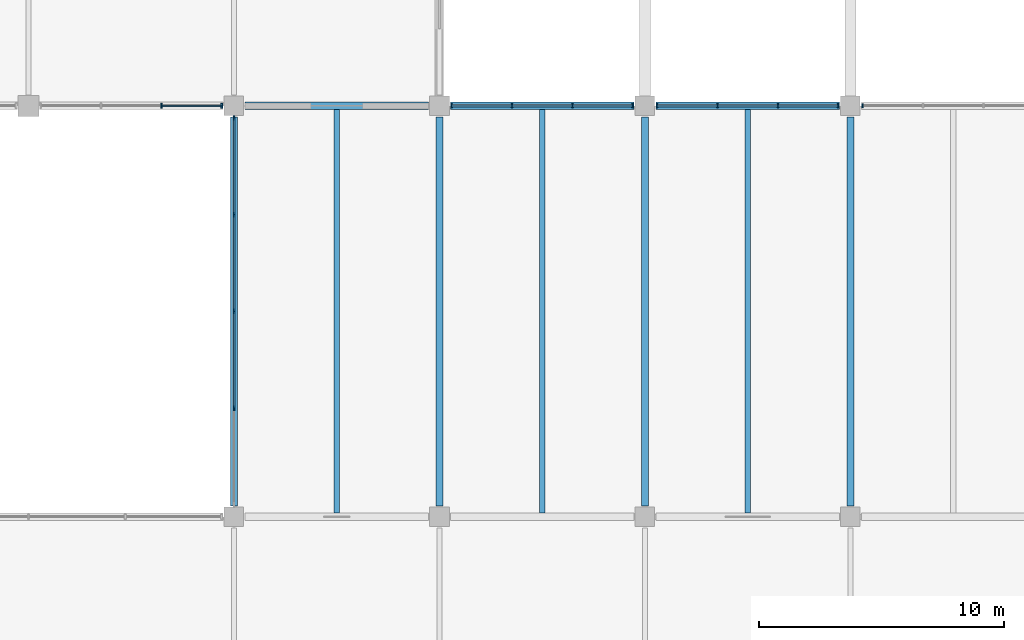
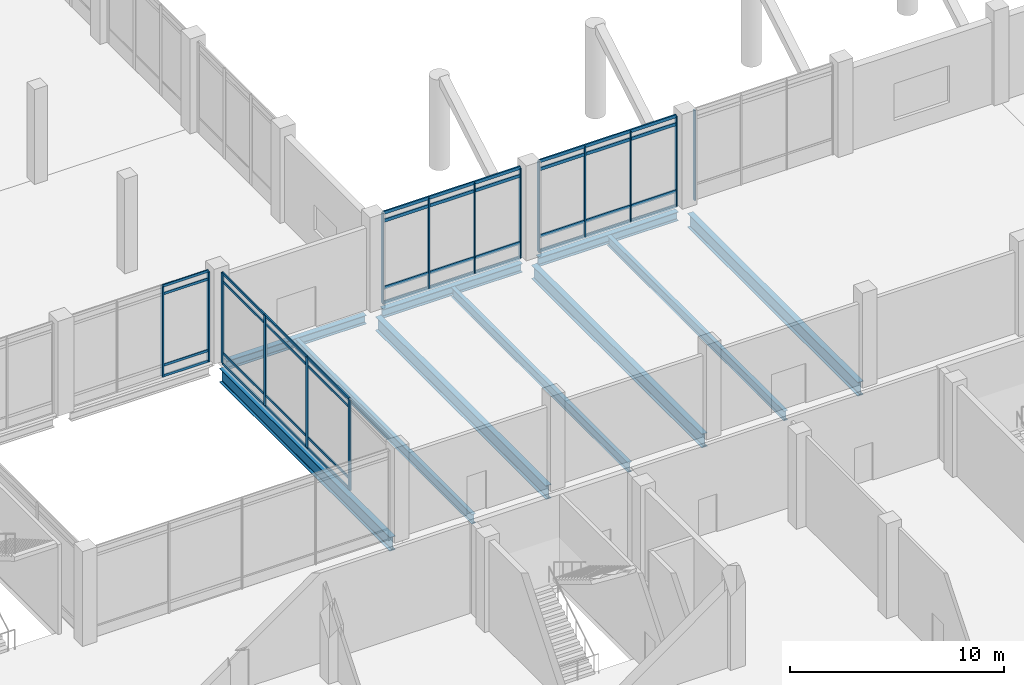
# One storey, part 9 of 72: 55 members, 10 beams, 5 elements without a shape of their own.
"""IFC4 building model written with IfcOpenShell, lengths in metres."""

from ifc_helpers import new_model, si_unit, direction, frame, origin, origin_2d, place, context, subcontext, project, spatial, rectangle, i_section, extrude, material, layer, layer_set, material_profile, profile_set, type_object, element, aggregate, save


model = new_model("IFC4")

# Units and contexts
model_context = context("Model", 3, precision=1e-05, world=origin(), true_north=direction((0.0, 1.0)))
body_context = subcontext(model_context, "Body", "Model", "MODEL_VIEW")
ifc_project = project(units=[si_unit("LENGTHUNIT", "METRE"), si_unit("AREAUNIT", "SQUARE_METRE"), si_unit("VOLUMEUNIT", "CUBIC_METRE"), si_unit("PLANEANGLEUNIT", "RADIAN"), si_unit("MASSUNIT", "GRAM", prefix="KILO")], contexts=[model_context])

# Site, building, storey
site_placement = place(None, origin())
site = spatial("IfcSite", under=ifc_project, at=site_placement, CompositionType="ELEMENT")
building_placement = place(site_placement, origin())
building = spatial("IfcBuilding", under=site, at=building_placement, Name="Qawsi Khor Wholesale Market", CompositionType="ELEMENT")
storey_placement = place(building_placement, frame((0.0, 0.0, 6.0)))
storey = spatial("IfcBuildingStorey", under=building, at=storey_placement, Name="L01", CompositionType="ELEMENT", Elevation=6.0)

# Curtain wall, members
ifc_material_1 = material(Name="Aluminium Anodised Bronze", Category="aluminium")
ifc_layer_1 = layer(ifc_material_1, 0.179931640625, Name="Aluminium Anodised Bronze")
ifc_layer_set_1 = layer_set([ifc_layer_1], Name="Aluminium Anodised Bronze")
curtain_wall_type_1 = type_object("IfcCurtainWallType", Name="Atrium Full-Height Curtain Wall CW-02", PredefinedType="NOTDEFINED", material=ifc_layer_set_1)
curtain_wall_1_placement = place(storey_placement, origin())
curtain_wall_1 = element("IfcCurtainWall", 1, at=curtain_wall_1_placement, inside=storey, type_object=curtain_wall_type_1, Name="Curtain wall CW-CW-02-L01-018", PredefinedType="NOTDEFINED")
ifc_material_profile_1 = material_profile(ifc_material_1, rectangle(XDim=0.070068359375, YDim=0.199951171875, at=origin_2d()), Name="ALU MULLION 70x200")
ifc_profile_set_1 = profile_set([ifc_material_profile_1], Name="Aluminium Anodised Bronze")
member_type_1 = type_object("IfcMemberType", Name="Curtain Wall Mullion CW-02 ALU MULLION 70x200", PredefinedType="MULLION", material=ifc_profile_set_1)
member_1_placement = place(storey_placement, frame((64.235107421875, 42.0, -0.02001953125), z_axis=(0.0, 0.0, 1.0), x_axis=(1.0, 0.0, 0.0)))
member_1 = element("IfcMember", 2, at=member_1_placement, type_object=member_type_1, Name="Mullion CW-CW-02-L01-018-M02", PredefinedType="MULLION", context=body_context, shape_type="SweptSolid", body=[
    extrude(rectangle(XDim=0.070068359375, YDim=0.199951171875, at=origin_2d()), origin(), (0.0, 0.0, 1.0), 5.14013671875),
])
member_2_placement = place(storey_placement, frame((66.705078125, 42.0, -0.02001953125), z_axis=(0.0, 0.0, 1.0), x_axis=(1.0, 0.0, 0.0)))
member_2 = element("IfcMember", 3, at=member_2_placement, type_object=member_type_1, Name="Mullion CW-CW-02-L01-018-M03", PredefinedType="MULLION", context=body_context, shape_type="SweptSolid", body=[
    extrude(rectangle(XDim=0.070068359375, YDim=0.199951171875, at=origin_2d()), origin(), (0.0, 0.0, 1.0), 5.14013671875),
])

curtain_wall_2_placement = place(storey_placement, origin())
curtain_wall_2 = element("IfcCurtainWall", 4, at=curtain_wall_2_placement, inside=storey, type_object=curtain_wall_type_1, Name="Curtain wall CW-CW-02-L01-020", PredefinedType="NOTDEFINED")
member_3_placement = place(storey_placement, frame((67.199951171875, 29.6474609375, -0.02001953125), z_axis=(0.0, 0.0, 1.0), x_axis=(1.0, 0.0, 0.0)))
member_3 = element("IfcMember", 5, at=member_3_placement, type_object=member_type_1, Name="Mullion CW-CW-02-L01-020-M01", PredefinedType="MULLION", context=body_context, shape_type="SweptSolid", body=[
    extrude(rectangle(XDim=0.070068359375, YDim=0.199951171875, at=origin_2d()), origin(), (0.0, 0.0, 1.0), 5.14013671875),
])
member_4_placement = place(storey_placement, frame((67.199951171875, 33.60009765625, -0.02001953125), z_axis=(0.0, 0.0, 1.0), x_axis=(1.0, 0.0, 0.0)))
member_4 = element("IfcMember", 6, at=member_4_placement, type_object=member_type_1, Name="Mullion CW-CW-02-L01-020-M02", PredefinedType="MULLION", context=body_context, shape_type="SweptSolid", body=[
    extrude(rectangle(XDim=0.070068359375, YDim=0.199951171875, at=origin_2d()), origin(), (0.0, 0.0, 1.0), 5.14013671875),
])
member_5_placement = place(storey_placement, frame((67.199951171875, 37.552490234375, -0.02001953125), z_axis=(0.0, 0.0, 1.0), x_axis=(1.0, 0.0, 0.0)))
member_5 = element("IfcMember", 7, at=member_5_placement, type_object=member_type_1, Name="Mullion CW-CW-02-L01-020-M03", PredefinedType="MULLION", context=body_context, shape_type="SweptSolid", body=[
    extrude(rectangle(XDim=0.070068359375, YDim=0.199951171875, at=origin_2d()), origin(), (0.0, 0.0, 1.0), 5.14013671875),
])
member_6_placement = place(storey_placement, frame((67.199951171875, 41.5048828125, -0.02001953125), z_axis=(0.0, 0.0, 1.0), x_axis=(1.0, 0.0, 0.0)))
member_6 = element("IfcMember", 8, at=member_6_placement, type_object=member_type_1, Name="Mullion CW-CW-02-L01-020-M04", PredefinedType="MULLION", context=body_context, shape_type="SweptSolid", body=[
    extrude(rectangle(XDim=0.070068359375, YDim=0.199951171875, at=origin_2d()), origin(), (0.0, 0.0, 1.0), 5.14013671875),
])

ifc_layer_2 = layer(ifc_material_1, 0.169921875, Name="Aluminium Anodised Bronze")
ifc_layer_set_2 = layer_set([ifc_layer_2], Name="Aluminium Anodised Bronze")
curtain_wall_type_2 = type_object("IfcCurtainWallType", Name="Central Court Gallery Curtain Wall CW-05", PredefinedType="NOTDEFINED", material=ifc_layer_set_2)
curtain_wall_3_placement = place(storey_placement, origin())
curtain_wall_3 = element("IfcCurtainWall", 9, at=curtain_wall_3_placement, inside=storey, type_object=curtain_wall_type_2, Name="Curtain wall CW-CW-05-L01-060", PredefinedType="NOTDEFINED")
ifc_material_profile_2 = material_profile(ifc_material_1, rectangle(XDim=0.06005859375, YDim=0.159912109375, at=origin_2d()), Name="ALU MULLION 60x160")
ifc_profile_set_2 = profile_set([ifc_material_profile_2], Name="Aluminium Anodised Bronze")
member_type_2 = type_object("IfcMemberType", Name="Curtain Wall Mullion CW-05 ALU MULLION 60x160", PredefinedType="MULLION", material=ifc_profile_set_2)
member_7_placement = place(storey_placement, frame((76.10009765625, 42.0, -0.02001953125), z_axis=(0.0, 0.0, 1.0), x_axis=(1.0, 0.0, 0.0)))
member_7 = element("IfcMember", 10, at=member_7_placement, type_object=member_type_2, Name="Mullion CW-CW-05-L01-060-M00", PredefinedType="MULLION", context=body_context, shape_type="SweptSolid", body=[
    extrude(rectangle(XDim=0.06005859375, YDim=0.159912109375, at=origin_2d()), origin(), (0.0, 0.0, 1.0), 5.14013671875),
])
member_8_placement = place(storey_placement, frame((78.566650390625, 42.0, -0.02001953125), z_axis=(0.0, 0.0, 1.0), x_axis=(1.0, 0.0, 0.0)))
member_8 = element("IfcMember", 11, at=member_8_placement, type_object=member_type_2, Name="Mullion CW-CW-05-L01-060-M01", PredefinedType="MULLION", context=body_context, shape_type="SweptSolid", body=[
    extrude(rectangle(XDim=0.06005859375, YDim=0.159912109375, at=origin_2d()), origin(), (0.0, 0.0, 1.0), 5.14013671875),
])
member_9_placement = place(storey_placement, frame((81.033203125, 42.0, -0.02001953125), z_axis=(0.0, 0.0, 1.0), x_axis=(1.0, 0.0, 0.0)))
member_9 = element("IfcMember", 12, at=member_9_placement, type_object=member_type_2, Name="Mullion CW-CW-05-L01-060-M02", PredefinedType="MULLION", context=body_context, shape_type="SweptSolid", body=[
    extrude(rectangle(XDim=0.06005859375, YDim=0.159912109375, at=origin_2d()), origin(), (0.0, 0.0, 1.0), 5.14013671875),
])
member_10_placement = place(storey_placement, frame((83.5, 42.0, -0.02001953125), z_axis=(0.0, 0.0, 1.0), x_axis=(1.0, 0.0, 0.0)))
member_10 = element("IfcMember", 13, at=member_10_placement, type_object=member_type_2, Name="Mullion CW-CW-05-L01-060-M03", PredefinedType="MULLION", context=body_context, shape_type="SweptSolid", body=[
    extrude(rectangle(XDim=0.06005859375, YDim=0.159912109375, at=origin_2d()), origin(), (0.0, 0.0, 1.0), 5.14013671875),
])

curtain_wall_4_placement = place(storey_placement, origin())
curtain_wall_4 = element("IfcCurtainWall", 14, at=curtain_wall_4_placement, inside=storey, type_object=curtain_wall_type_2, Name="Curtain wall CW-CW-05-L01-061", PredefinedType="NOTDEFINED")
member_11_placement = place(storey_placement, frame((84.5, 42.0, -0.02001953125), z_axis=(0.0, 0.0, 1.0), x_axis=(1.0, 0.0, 0.0)))
member_11 = element("IfcMember", 15, at=member_11_placement, type_object=member_type_2, Name="Mullion CW-CW-05-L01-061-M00", PredefinedType="MULLION", context=body_context, shape_type="SweptSolid", body=[
    extrude(rectangle(XDim=0.06005859375, YDim=0.159912109375, at=origin_2d()), origin(), (0.0, 0.0, 1.0), 5.14013671875),
])
member_12_placement = place(storey_placement, frame((86.966796875, 42.0, -0.02001953125), z_axis=(0.0, 0.0, 1.0), x_axis=(1.0, 0.0, 0.0)))
member_12 = element("IfcMember", 16, at=member_12_placement, type_object=member_type_2, Name="Mullion CW-CW-05-L01-061-M01", PredefinedType="MULLION", context=body_context, shape_type="SweptSolid", body=[
    extrude(rectangle(XDim=0.06005859375, YDim=0.159912109375, at=origin_2d()), origin(), (0.0, 0.0, 1.0), 5.14013671875),
])
member_13_placement = place(storey_placement, frame((89.433349609375, 42.0, -0.02001953125), z_axis=(0.0, 0.0, 1.0), x_axis=(1.0, 0.0, 0.0)))
member_13 = element("IfcMember", 17, at=member_13_placement, type_object=member_type_2, Name="Mullion CW-CW-05-L01-061-M02", PredefinedType="MULLION", context=body_context, shape_type="SweptSolid", body=[
    extrude(rectangle(XDim=0.06005859375, YDim=0.159912109375, at=origin_2d()), origin(), (0.0, 0.0, 1.0), 5.14013671875),
])
member_14_placement = place(storey_placement, frame((91.89990234375, 42.0, -0.02001953125), z_axis=(0.0, 0.0, 1.0), x_axis=(1.0, 0.0, 0.0)))
member_14 = element("IfcMember", 18, at=member_14_placement, type_object=member_type_2, Name="Mullion CW-CW-05-L01-061-M03", PredefinedType="MULLION", context=body_context, shape_type="SweptSolid", body=[
    extrude(rectangle(XDim=0.06005859375, YDim=0.159912109375, at=origin_2d()), origin(), (0.0, 0.0, 1.0), 5.14013671875),
])

# Curtain wall, member
curtain_wall_5_placement = place(storey_placement, origin())
curtain_wall_5 = element("IfcCurtainWall", 19, at=curtain_wall_5_placement, inside=storey, type_object=curtain_wall_type_2, Name="Curtain wall CW-CW-05-L01-062", PredefinedType="NOTDEFINED")
member_15_placement = place(storey_placement, frame((92.89990234375, 42.0, -0.02001953125), z_axis=(0.0, 0.0, 1.0), x_axis=(1.0, 0.0, 0.0)))
member_15 = element("IfcMember", 20, at=member_15_placement, type_object=member_type_2, Name="Mullion CW-CW-05-L01-062-M00", PredefinedType="MULLION", context=body_context, shape_type="SweptSolid", body=[
    extrude(rectangle(XDim=0.06005859375, YDim=0.159912109375, at=origin_2d()), origin(), (0.0, 0.0, 1.0), 5.14013671875),
])
aggregate(curtain_wall_5, [member_15])

# Member
ifc_material_profile_3 = material_profile(ifc_material_1, rectangle(XDim=0.06494140625, YDim=0.139892578125, at=origin_2d()), Name="ALU TRANSOM 65x140")
ifc_profile_set_3 = profile_set([ifc_material_profile_3], Name="Aluminium Anodised Bronze")
member_type_3 = type_object("IfcMemberType", Name="Curtain Wall Transom CW-02 ALU TRANSOM 65x140", PredefinedType="USERDEFINED", material=ifc_profile_set_3)
member_16_placement = place(storey_placement, frame((64.235107421875, 42.0, 0.0), z_axis=(1.0, 0.0, 0.0), x_axis=(0.0, 1.0, 0.0)))
member_16 = element("IfcMember", 21, at=member_16_placement, type_object=member_type_3, Name="Transom CW-CW-02-L01-018-T0_02", ObjectType="TRANSOM", PredefinedType="USERDEFINED", context=body_context, shape_type="SweptSolid", body=[
    extrude(rectangle(XDim=0.06494140625, YDim=0.139892578125, at=origin_2d()), origin(), (0.0, 0.0, 1.0), 2.469970703125),
])

member_17_placement = place(storey_placement, frame((64.235107421875, 42.0, 0.60009765625), z_axis=(1.0, 0.0, 0.0), x_axis=(0.0, 1.0, 0.0)))
member_17 = element("IfcMember", 22, at=member_17_placement, type_object=member_type_3, Name="Transom CW-CW-02-L01-018-T1_02", ObjectType="TRANSOM", PredefinedType="USERDEFINED", context=body_context, shape_type="SweptSolid", body=[
    extrude(rectangle(XDim=0.06494140625, YDim=0.139892578125, at=origin_2d()), origin(), (0.0, 0.0, 1.0), 2.469970703125),
])

member_18_placement = place(storey_placement, frame((64.235107421875, 42.0, 4.669921875), z_axis=(1.0, 0.0, 0.0), x_axis=(0.0, 1.0, 0.0)))
member_18 = element("IfcMember", 23, at=member_18_placement, type_object=member_type_3, Name="Transom CW-CW-02-L01-018-T2_02", ObjectType="TRANSOM", PredefinedType="USERDEFINED", context=body_context, shape_type="SweptSolid", body=[
    extrude(rectangle(XDim=0.06494140625, YDim=0.139892578125, at=origin_2d()), origin(), (0.0, 0.0, 1.0), 2.469970703125),
])

member_19_placement = place(storey_placement, frame((64.235107421875, 42.0, 5.1201171875), z_axis=(1.0, 0.0, 0.0), x_axis=(0.0, 1.0, 0.0)))
member_19 = element("IfcMember", 24, at=member_19_placement, type_object=member_type_3, Name="Transom CW-CW-02-L01-018-T3_02", ObjectType="TRANSOM", PredefinedType="USERDEFINED", context=body_context, shape_type="SweptSolid", body=[
    extrude(rectangle(XDim=0.06494140625, YDim=0.139892578125, at=origin_2d()), origin(), (0.0, 0.0, 1.0), 2.469970703125),
])

aggregate(curtain_wall_1, [member_1, member_2, member_16, member_17, member_18, member_19])

member_20_placement = place(storey_placement, frame((67.199951171875, 29.6474609375, 0.0), z_axis=(0.0, 1.0, 0.0), x_axis=(-1.0, 0.0, 0.0)))
member_20 = element("IfcMember", 25, at=member_20_placement, type_object=member_type_3, Name="Transom CW-CW-02-L01-020-T0_01", ObjectType="TRANSOM", PredefinedType="USERDEFINED", context=body_context, shape_type="SweptSolid", body=[
    extrude(rectangle(XDim=0.06494140625, YDim=0.139892578125, at=origin_2d()), origin(), (0.0, 0.0, 1.0), 3.95263671875),
])

member_21_placement = place(storey_placement, frame((67.199951171875, 33.60009765625, 0.0), z_axis=(0.0, 1.0, 0.0), x_axis=(-1.0, 0.0, 0.0)))
member_21 = element("IfcMember", 26, at=member_21_placement, type_object=member_type_3, Name="Transom CW-CW-02-L01-020-T0_02", ObjectType="TRANSOM", PredefinedType="USERDEFINED", context=body_context, shape_type="SweptSolid", body=[
    extrude(rectangle(XDim=0.06494140625, YDim=0.139892578125, at=origin_2d()), origin(), (0.0, 0.0, 1.0), 3.952392578125),
])

member_22_placement = place(storey_placement, frame((67.199951171875, 37.552490234375, 0.0), z_axis=(0.0, 1.0, 0.0), x_axis=(-1.0, 0.0, 0.0)))
member_22 = element("IfcMember", 27, at=member_22_placement, type_object=member_type_3, Name="Transom CW-CW-02-L01-020-T0_03", ObjectType="TRANSOM", PredefinedType="USERDEFINED", context=body_context, shape_type="SweptSolid", body=[
    extrude(rectangle(XDim=0.06494140625, YDim=0.139892578125, at=origin_2d()), origin(), (0.0, 0.0, 1.0), 3.952392578125),
])

member_23_placement = place(storey_placement, frame((67.199951171875, 29.6474609375, 0.60009765625), z_axis=(0.0, 1.0, 0.0), x_axis=(-1.0, 0.0, 0.0)))
member_23 = element("IfcMember", 28, at=member_23_placement, type_object=member_type_3, Name="Transom CW-CW-02-L01-020-T1_01", ObjectType="TRANSOM", PredefinedType="USERDEFINED", context=body_context, shape_type="SweptSolid", body=[
    extrude(rectangle(XDim=0.06494140625, YDim=0.139892578125, at=origin_2d()), origin(), (0.0, 0.0, 1.0), 3.95263671875),
])

member_24_placement = place(storey_placement, frame((67.199951171875, 33.60009765625, 0.60009765625), z_axis=(0.0, 1.0, 0.0), x_axis=(-1.0, 0.0, 0.0)))
member_24 = element("IfcMember", 29, at=member_24_placement, type_object=member_type_3, Name="Transom CW-CW-02-L01-020-T1_02", ObjectType="TRANSOM", PredefinedType="USERDEFINED", context=body_context, shape_type="SweptSolid", body=[
    extrude(rectangle(XDim=0.06494140625, YDim=0.139892578125, at=origin_2d()), origin(), (0.0, 0.0, 1.0), 3.952392578125),
])

member_25_placement = place(storey_placement, frame((67.199951171875, 37.552490234375, 0.60009765625), z_axis=(0.0, 1.0, 0.0), x_axis=(-1.0, 0.0, 0.0)))
member_25 = element("IfcMember", 30, at=member_25_placement, type_object=member_type_3, Name="Transom CW-CW-02-L01-020-T1_03", ObjectType="TRANSOM", PredefinedType="USERDEFINED", context=body_context, shape_type="SweptSolid", body=[
    extrude(rectangle(XDim=0.06494140625, YDim=0.139892578125, at=origin_2d()), origin(), (0.0, 0.0, 1.0), 3.952392578125),
])

member_26_placement = place(storey_placement, frame((67.199951171875, 29.6474609375, 4.669921875), z_axis=(0.0, 1.0, 0.0), x_axis=(-1.0, 0.0, 0.0)))
member_26 = element("IfcMember", 31, at=member_26_placement, type_object=member_type_3, Name="Transom CW-CW-02-L01-020-T2_01", ObjectType="TRANSOM", PredefinedType="USERDEFINED", context=body_context, shape_type="SweptSolid", body=[
    extrude(rectangle(XDim=0.06494140625, YDim=0.139892578125, at=origin_2d()), origin(), (0.0, 0.0, 1.0), 3.95263671875),
])

member_27_placement = place(storey_placement, frame((67.199951171875, 33.60009765625, 4.669921875), z_axis=(0.0, 1.0, 0.0), x_axis=(-1.0, 0.0, 0.0)))
member_27 = element("IfcMember", 32, at=member_27_placement, type_object=member_type_3, Name="Transom CW-CW-02-L01-020-T2_02", ObjectType="TRANSOM", PredefinedType="USERDEFINED", context=body_context, shape_type="SweptSolid", body=[
    extrude(rectangle(XDim=0.06494140625, YDim=0.139892578125, at=origin_2d()), origin(), (0.0, 0.0, 1.0), 3.952392578125),
])

member_28_placement = place(storey_placement, frame((67.199951171875, 37.552490234375, 4.669921875), z_axis=(0.0, 1.0, 0.0), x_axis=(-1.0, 0.0, 0.0)))
member_28 = element("IfcMember", 33, at=member_28_placement, type_object=member_type_3, Name="Transom CW-CW-02-L01-020-T2_03", ObjectType="TRANSOM", PredefinedType="USERDEFINED", context=body_context, shape_type="SweptSolid", body=[
    extrude(rectangle(XDim=0.06494140625, YDim=0.139892578125, at=origin_2d()), origin(), (0.0, 0.0, 1.0), 3.952392578125),
])

member_29_placement = place(storey_placement, frame((67.199951171875, 29.6474609375, 5.1201171875), z_axis=(0.0, 1.0, 0.0), x_axis=(-1.0, 0.0, 0.0)))
member_29 = element("IfcMember", 34, at=member_29_placement, type_object=member_type_3, Name="Transom CW-CW-02-L01-020-T3_01", ObjectType="TRANSOM", PredefinedType="USERDEFINED", context=body_context, shape_type="SweptSolid", body=[
    extrude(rectangle(XDim=0.06494140625, YDim=0.139892578125, at=origin_2d()), origin(), (0.0, 0.0, 1.0), 3.95263671875),
])

member_30_placement = place(storey_placement, frame((67.199951171875, 33.60009765625, 5.1201171875), z_axis=(0.0, 1.0, 0.0), x_axis=(-1.0, 0.0, 0.0)))
member_30 = element("IfcMember", 35, at=member_30_placement, type_object=member_type_3, Name="Transom CW-CW-02-L01-020-T3_02", ObjectType="TRANSOM", PredefinedType="USERDEFINED", context=body_context, shape_type="SweptSolid", body=[
    extrude(rectangle(XDim=0.06494140625, YDim=0.139892578125, at=origin_2d()), origin(), (0.0, 0.0, 1.0), 3.952392578125),
])

member_31_placement = place(storey_placement, frame((67.199951171875, 37.552490234375, 5.1201171875), z_axis=(0.0, 1.0, 0.0), x_axis=(-1.0, 0.0, 0.0)))
member_31 = element("IfcMember", 36, at=member_31_placement, type_object=member_type_3, Name="Transom CW-CW-02-L01-020-T3_03", ObjectType="TRANSOM", PredefinedType="USERDEFINED", context=body_context, shape_type="SweptSolid", body=[
    extrude(rectangle(XDim=0.06494140625, YDim=0.139892578125, at=origin_2d()), origin(), (0.0, 0.0, 1.0), 3.952392578125),
])

aggregate(curtain_wall_2, [member_3, member_4, member_5, member_6, member_20, member_21, member_22, member_23, member_24, member_25, member_26, member_27, member_28, member_29, member_30, member_31])

ifc_material_profile_4 = material_profile(ifc_material_1, rectangle(XDim=0.080078125, YDim=0.179931640625, at=origin_2d()), Name="ALU TRANSOM 80x180")
ifc_profile_set_4 = profile_set([ifc_material_profile_4], Name="Aluminium Anodised Bronze")
member_type_4 = type_object("IfcMemberType", Name="Curtain Wall Transom CW-05 ALU TRANSOM 80x180", PredefinedType="USERDEFINED", material=ifc_profile_set_4)
member_32_placement = place(storey_placement, frame((76.10009765625, 42.0, 0.0), z_axis=(1.0, 0.0, 0.0), x_axis=(0.0, 1.0, 0.0)))
member_32 = element("IfcMember", 37, at=member_32_placement, type_object=member_type_4, Name="Transom CW-CW-05-L01-060-T0_00", ObjectType="TRANSOM", PredefinedType="USERDEFINED", context=body_context, shape_type="SweptSolid", body=[
    extrude(rectangle(XDim=0.080078125, YDim=0.179931640625, at=origin_2d()), origin(), (0.0, 0.0, 1.0), 2.466552734375),
])

member_33_placement = place(storey_placement, frame((78.566650390625, 42.0, 0.0), z_axis=(1.0, 0.0, 0.0), x_axis=(0.0, 1.0, 0.0)))
member_33 = element("IfcMember", 38, at=member_33_placement, type_object=member_type_4, Name="Transom CW-CW-05-L01-060-T0_01", ObjectType="TRANSOM", PredefinedType="USERDEFINED", context=body_context, shape_type="SweptSolid", body=[
    extrude(rectangle(XDim=0.080078125, YDim=0.179931640625, at=origin_2d()), origin(), (0.0, 0.0, 1.0), 2.466552734375),
])

member_34_placement = place(storey_placement, frame((81.033203125, 42.0, 0.0), z_axis=(1.0, 0.0, 0.0), x_axis=(0.0, 1.0, 0.0)))
member_34 = element("IfcMember", 39, at=member_34_placement, type_object=member_type_4, Name="Transom CW-CW-05-L01-060-T0_02", ObjectType="TRANSOM", PredefinedType="USERDEFINED", context=body_context, shape_type="SweptSolid", body=[
    extrude(rectangle(XDim=0.080078125, YDim=0.179931640625, at=origin_2d()), origin(), (0.0, 0.0, 1.0), 2.466796875),
])

member_35_placement = place(storey_placement, frame((76.10009765625, 42.0, 0.85009765625), z_axis=(1.0, 0.0, 0.0), x_axis=(0.0, 1.0, 0.0)))
member_35 = element("IfcMember", 40, at=member_35_placement, type_object=member_type_4, Name="Transom CW-CW-05-L01-060-T1_00", ObjectType="TRANSOM", PredefinedType="USERDEFINED", context=body_context, shape_type="SweptSolid", body=[
    extrude(rectangle(XDim=0.080078125, YDim=0.179931640625, at=origin_2d()), origin(), (0.0, 0.0, 1.0), 2.466552734375),
])

member_36_placement = place(storey_placement, frame((78.566650390625, 42.0, 0.85009765625), z_axis=(1.0, 0.0, 0.0), x_axis=(0.0, 1.0, 0.0)))
member_36 = element("IfcMember", 41, at=member_36_placement, type_object=member_type_4, Name="Transom CW-CW-05-L01-060-T1_01", ObjectType="TRANSOM", PredefinedType="USERDEFINED", context=body_context, shape_type="SweptSolid", body=[
    extrude(rectangle(XDim=0.080078125, YDim=0.179931640625, at=origin_2d()), origin(), (0.0, 0.0, 1.0), 2.466552734375),
])

member_37_placement = place(storey_placement, frame((81.033203125, 42.0, 0.85009765625), z_axis=(1.0, 0.0, 0.0), x_axis=(0.0, 1.0, 0.0)))
member_37 = element("IfcMember", 42, at=member_37_placement, type_object=member_type_4, Name="Transom CW-CW-05-L01-060-T1_02", ObjectType="TRANSOM", PredefinedType="USERDEFINED", context=body_context, shape_type="SweptSolid", body=[
    extrude(rectangle(XDim=0.080078125, YDim=0.179931640625, at=origin_2d()), origin(), (0.0, 0.0, 1.0), 2.466796875),
])

member_38_placement = place(storey_placement, frame((76.10009765625, 42.0, 4.669921875), z_axis=(1.0, 0.0, 0.0), x_axis=(0.0, 1.0, 0.0)))
member_38 = element("IfcMember", 43, at=member_38_placement, type_object=member_type_4, Name="Transom CW-CW-05-L01-060-T2_00", ObjectType="TRANSOM", PredefinedType="USERDEFINED", context=body_context, shape_type="SweptSolid", body=[
    extrude(rectangle(XDim=0.080078125, YDim=0.179931640625, at=origin_2d()), origin(), (0.0, 0.0, 1.0), 2.466552734375),
])

member_39_placement = place(storey_placement, frame((78.566650390625, 42.0, 4.669921875), z_axis=(1.0, 0.0, 0.0), x_axis=(0.0, 1.0, 0.0)))
member_39 = element("IfcMember", 44, at=member_39_placement, type_object=member_type_4, Name="Transom CW-CW-05-L01-060-T2_01", ObjectType="TRANSOM", PredefinedType="USERDEFINED", context=body_context, shape_type="SweptSolid", body=[
    extrude(rectangle(XDim=0.080078125, YDim=0.179931640625, at=origin_2d()), origin(), (0.0, 0.0, 1.0), 2.466552734375),
])

member_40_placement = place(storey_placement, frame((81.033203125, 42.0, 4.669921875), z_axis=(1.0, 0.0, 0.0), x_axis=(0.0, 1.0, 0.0)))
member_40 = element("IfcMember", 45, at=member_40_placement, type_object=member_type_4, Name="Transom CW-CW-05-L01-060-T2_02", ObjectType="TRANSOM", PredefinedType="USERDEFINED", context=body_context, shape_type="SweptSolid", body=[
    extrude(rectangle(XDim=0.080078125, YDim=0.179931640625, at=origin_2d()), origin(), (0.0, 0.0, 1.0), 2.466796875),
])

member_41_placement = place(storey_placement, frame((76.10009765625, 42.0, 5.1201171875), z_axis=(1.0, 0.0, 0.0), x_axis=(0.0, 1.0, 0.0)))
member_41 = element("IfcMember", 46, at=member_41_placement, type_object=member_type_4, Name="Transom CW-CW-05-L01-060-T3_00", ObjectType="TRANSOM", PredefinedType="USERDEFINED", context=body_context, shape_type="SweptSolid", body=[
    extrude(rectangle(XDim=0.080078125, YDim=0.179931640625, at=origin_2d()), origin(), (0.0, 0.0, 1.0), 2.466552734375),
])

member_42_placement = place(storey_placement, frame((78.566650390625, 42.0, 5.1201171875), z_axis=(1.0, 0.0, 0.0), x_axis=(0.0, 1.0, 0.0)))
member_42 = element("IfcMember", 47, at=member_42_placement, type_object=member_type_4, Name="Transom CW-CW-05-L01-060-T3_01", ObjectType="TRANSOM", PredefinedType="USERDEFINED", context=body_context, shape_type="SweptSolid", body=[
    extrude(rectangle(XDim=0.080078125, YDim=0.179931640625, at=origin_2d()), origin(), (0.0, 0.0, 1.0), 2.466552734375),
])

member_43_placement = place(storey_placement, frame((81.033203125, 42.0, 5.1201171875), z_axis=(1.0, 0.0, 0.0), x_axis=(0.0, 1.0, 0.0)))
member_43 = element("IfcMember", 48, at=member_43_placement, type_object=member_type_4, Name="Transom CW-CW-05-L01-060-T3_02", ObjectType="TRANSOM", PredefinedType="USERDEFINED", context=body_context, shape_type="SweptSolid", body=[
    extrude(rectangle(XDim=0.080078125, YDim=0.179931640625, at=origin_2d()), origin(), (0.0, 0.0, 1.0), 2.466796875),
])

aggregate(curtain_wall_3, [member_7, member_8, member_9, member_10, member_32, member_33, member_34, member_35, member_36, member_37, member_38, member_39, member_40, member_41, member_42, member_43])

member_44_placement = place(storey_placement, frame((84.5, 42.0, 0.0), z_axis=(1.0, 0.0, 0.0), x_axis=(0.0, 1.0, 0.0)))
member_44 = element("IfcMember", 49, at=member_44_placement, type_object=member_type_4, Name="Transom CW-CW-05-L01-061-T0_00", ObjectType="TRANSOM", PredefinedType="USERDEFINED", context=body_context, shape_type="SweptSolid", body=[
    extrude(rectangle(XDim=0.080078125, YDim=0.179931640625, at=origin_2d()), origin(), (0.0, 0.0, 1.0), 2.466796875),
])

member_45_placement = place(storey_placement, frame((86.966796875, 42.0, 0.0), z_axis=(1.0, 0.0, 0.0), x_axis=(0.0, 1.0, 0.0)))
member_45 = element("IfcMember", 50, at=member_45_placement, type_object=member_type_4, Name="Transom CW-CW-05-L01-061-T0_01", ObjectType="TRANSOM", PredefinedType="USERDEFINED", context=body_context, shape_type="SweptSolid", body=[
    extrude(rectangle(XDim=0.080078125, YDim=0.179931640625, at=origin_2d()), origin(), (0.0, 0.0, 1.0), 2.466552734375),
])

member_46_placement = place(storey_placement, frame((89.433349609375, 42.0, 0.0), z_axis=(1.0, 0.0, 0.0), x_axis=(0.0, 1.0, 0.0)))
member_46 = element("IfcMember", 51, at=member_46_placement, type_object=member_type_4, Name="Transom CW-CW-05-L01-061-T0_02", ObjectType="TRANSOM", PredefinedType="USERDEFINED", context=body_context, shape_type="SweptSolid", body=[
    extrude(rectangle(XDim=0.080078125, YDim=0.179931640625, at=origin_2d()), origin(), (0.0, 0.0, 1.0), 2.466552734375),
])

member_47_placement = place(storey_placement, frame((84.5, 42.0, 0.85009765625), z_axis=(1.0, 0.0, 0.0), x_axis=(0.0, 1.0, 0.0)))
member_47 = element("IfcMember", 52, at=member_47_placement, type_object=member_type_4, Name="Transom CW-CW-05-L01-061-T1_00", ObjectType="TRANSOM", PredefinedType="USERDEFINED", context=body_context, shape_type="SweptSolid", body=[
    extrude(rectangle(XDim=0.080078125, YDim=0.179931640625, at=origin_2d()), origin(), (0.0, 0.0, 1.0), 2.466796875),
])

member_48_placement = place(storey_placement, frame((86.966796875, 42.0, 0.85009765625), z_axis=(1.0, 0.0, 0.0), x_axis=(0.0, 1.0, 0.0)))
member_48 = element("IfcMember", 53, at=member_48_placement, type_object=member_type_4, Name="Transom CW-CW-05-L01-061-T1_01", ObjectType="TRANSOM", PredefinedType="USERDEFINED", context=body_context, shape_type="SweptSolid", body=[
    extrude(rectangle(XDim=0.080078125, YDim=0.179931640625, at=origin_2d()), origin(), (0.0, 0.0, 1.0), 2.466552734375),
])

member_49_placement = place(storey_placement, frame((89.433349609375, 42.0, 0.85009765625), z_axis=(1.0, 0.0, 0.0), x_axis=(0.0, 1.0, 0.0)))
member_49 = element("IfcMember", 54, at=member_49_placement, type_object=member_type_4, Name="Transom CW-CW-05-L01-061-T1_02", ObjectType="TRANSOM", PredefinedType="USERDEFINED", context=body_context, shape_type="SweptSolid", body=[
    extrude(rectangle(XDim=0.080078125, YDim=0.179931640625, at=origin_2d()), origin(), (0.0, 0.0, 1.0), 2.466552734375),
])

member_50_placement = place(storey_placement, frame((84.5, 42.0, 4.669921875), z_axis=(1.0, 0.0, 0.0), x_axis=(0.0, 1.0, 0.0)))
member_50 = element("IfcMember", 55, at=member_50_placement, type_object=member_type_4, Name="Transom CW-CW-05-L01-061-T2_00", ObjectType="TRANSOM", PredefinedType="USERDEFINED", context=body_context, shape_type="SweptSolid", body=[
    extrude(rectangle(XDim=0.080078125, YDim=0.179931640625, at=origin_2d()), origin(), (0.0, 0.0, 1.0), 2.466796875),
])

member_51_placement = place(storey_placement, frame((86.966796875, 42.0, 4.669921875), z_axis=(1.0, 0.0, 0.0), x_axis=(0.0, 1.0, 0.0)))
member_51 = element("IfcMember", 56, at=member_51_placement, type_object=member_type_4, Name="Transom CW-CW-05-L01-061-T2_01", ObjectType="TRANSOM", PredefinedType="USERDEFINED", context=body_context, shape_type="SweptSolid", body=[
    extrude(rectangle(XDim=0.080078125, YDim=0.179931640625, at=origin_2d()), origin(), (0.0, 0.0, 1.0), 2.466552734375),
])

member_52_placement = place(storey_placement, frame((89.433349609375, 42.0, 4.669921875), z_axis=(1.0, 0.0, 0.0), x_axis=(0.0, 1.0, 0.0)))
member_52 = element("IfcMember", 57, at=member_52_placement, type_object=member_type_4, Name="Transom CW-CW-05-L01-061-T2_02", ObjectType="TRANSOM", PredefinedType="USERDEFINED", context=body_context, shape_type="SweptSolid", body=[
    extrude(rectangle(XDim=0.080078125, YDim=0.179931640625, at=origin_2d()), origin(), (0.0, 0.0, 1.0), 2.466552734375),
])

member_53_placement = place(storey_placement, frame((84.5, 42.0, 5.1201171875), z_axis=(1.0, 0.0, 0.0), x_axis=(0.0, 1.0, 0.0)))
member_53 = element("IfcMember", 58, at=member_53_placement, type_object=member_type_4, Name="Transom CW-CW-05-L01-061-T3_00", ObjectType="TRANSOM", PredefinedType="USERDEFINED", context=body_context, shape_type="SweptSolid", body=[
    extrude(rectangle(XDim=0.080078125, YDim=0.179931640625, at=origin_2d()), origin(), (0.0, 0.0, 1.0), 2.466796875),
])

member_54_placement = place(storey_placement, frame((86.966796875, 42.0, 5.1201171875), z_axis=(1.0, 0.0, 0.0), x_axis=(0.0, 1.0, 0.0)))
member_54 = element("IfcMember", 59, at=member_54_placement, type_object=member_type_4, Name="Transom CW-CW-05-L01-061-T3_01", ObjectType="TRANSOM", PredefinedType="USERDEFINED", context=body_context, shape_type="SweptSolid", body=[
    extrude(rectangle(XDim=0.080078125, YDim=0.179931640625, at=origin_2d()), origin(), (0.0, 0.0, 1.0), 2.466552734375),
])

member_55_placement = place(storey_placement, frame((89.433349609375, 42.0, 5.1201171875), z_axis=(1.0, 0.0, 0.0), x_axis=(0.0, 1.0, 0.0)))
member_55 = element("IfcMember", 60, at=member_55_placement, type_object=member_type_4, Name="Transom CW-CW-05-L01-061-T3_02", ObjectType="TRANSOM", PredefinedType="USERDEFINED", context=body_context, shape_type="SweptSolid", body=[
    extrude(rectangle(XDim=0.080078125, YDim=0.179931640625, at=origin_2d()), origin(), (0.0, 0.0, 1.0), 2.466552734375),
])

aggregate(curtain_wall_4, [member_11, member_12, member_13, member_14, member_44, member_45, member_46, member_47, member_48, member_49, member_50, member_51, member_52, member_53, member_54, member_55])

# Beams
ifc_material_2 = material(Name="Steel S355", Category="steel")
ifc_material_profile_5 = material_profile(ifc_material_2, i_section(OverallWidth=0.300048828125, OverallDepth=0.5, WebThickness=0.014404296875, FlangeThickness=0.028076171875, FilletRadius=0.027099609375, at=origin_2d()), Name="HEB 500")
ifc_profile_set_5 = profile_set([ifc_material_profile_5], Name="Steel S355")
beam_type_1 = type_object("IfcBeamType", Name="Heavy Edge Girder HEB 500", PredefinedType="BEAM", material=ifc_profile_set_5)
for number, where, z_axis, x_axis, name in (
    (61, (67.64990234375, 42.0, -0.530029296875), (1.0, 0.0, 0.0), (0.0, 1.0, 0.0), "BM-X-L01-08_+05"),
    (62, (76.050048828125, 42.0, -0.530029296875), (1.0, 0.0, 0.0), (0.0, 1.0, 0.0), "BM-X-L01-09_+05"),
    (63, (84.449951171875, 42.0, -0.530029296875), (1.0, 0.0, 0.0), (0.0, 1.0, 0.0), "BM-X-L01-10_+05"),
):
    element("IfcBeam", number, at=place(storey_placement, frame(where, z_axis=z_axis, x_axis=x_axis)), inside=storey, type_object=beam_type_1, Name=name, PredefinedType="BEAM", context=body_context, shape_type="SweptSolid", body=[
        extrude(i_section(OverallWidth=0.300048828125, OverallDepth=0.5, WebThickness=0.014404296875, FlangeThickness=0.028076171875, FilletRadius=0.027099609375, at=origin_2d()), origin(), (0.0, 0.0, 1.0), 7.5),
    ])
ifc_material_profile_6 = material_profile(ifc_material_2, i_section(OverallWidth=0.300048828125, OverallDepth=0.7900390625, WebThickness=0.014892578125, FlangeThickness=0.028076171875, FilletRadius=0.030029296875, at=origin_2d()), Name="HEA 800")
ifc_profile_set_6 = profile_set([ifc_material_profile_6], Name="Steel S355")
beam_type_2 = type_object("IfcBeamType", Name="Primary Girder HEA 800", PredefinedType="BEAM", material=ifc_profile_set_6)
for number, where, z_axis, x_axis, name in (
    (64, (67.199951171875, 25.64990234375, -0.675048828125), (0.0, 1.0, 0.0), (-1.0, 0.0, 0.0), "BM-YL-L01-08_+03"),
    (65, (75.60009765625, 25.64990234375, -0.675048828125), (0.0, 1.0, 0.0), (-1.0, 0.0, 0.0), "BM-YL-L01-09_+03"),
    (66, (84.0, 25.64990234375, -0.675048828125), (0.0, 1.0, 0.0), (-1.0, 0.0, 0.0), "BM-YL-L01-10_+03"),
    (67, (92.39990234375, 25.64990234375, -0.675048828125), (0.0, 1.0, 0.0), (-1.0, 0.0, 0.0), "BM-YL-L01-11_+03"),
):
    element("IfcBeam", number, at=place(storey_placement, frame(where, z_axis=z_axis, x_axis=x_axis)), inside=storey, type_object=beam_type_2, Name=name, PredefinedType="BEAM", context=body_context, shape_type="SweptSolid", body=[
        extrude(i_section(OverallWidth=0.300048828125, OverallDepth=0.7900390625, WebThickness=0.014892578125, FlangeThickness=0.028076171875, FilletRadius=0.030029296875, at=origin_2d()), origin(), (0.0, 0.0, 1.0), 15.900146484375),
    ])
ifc_material_profile_7 = material_profile(ifc_material_2, i_section(OverallWidth=0.2099609375, OverallDepth=0.550048828125, WebThickness=0.010986328125, FlangeThickness=0.01708984375, FilletRadius=0.02392578125, at=origin_2d()), Name="IPE 550")
ifc_profile_set_7 = profile_set([ifc_material_profile_7], Name="Steel S355")
beam_type_3 = type_object("IfcBeamType", Name="Secondary Beam IPE 550", PredefinedType="BEAM", material=ifc_profile_set_7)
for number, where, z_axis, x_axis, name in (
    (68, (71.39990234375, 25.35009765625, -0.554931640625), (0.0, 1.0, 0.0), (-1.0, 0.0, 0.0), "JST-M-L01-08"),
    (69, (79.800048828125, 25.35009765625, -0.554931640625), (0.0, 1.0, 0.0), (-1.0, 0.0, 0.0), "JST-M-L01-09"),
    (70, (88.199951171875, 25.35009765625, -0.554931640625), (0.0, 1.0, 0.0), (-1.0, 0.0, 0.0), "JST-M-L01-10"),
):
    element("IfcBeam", number, at=place(storey_placement, frame(where, z_axis=z_axis, x_axis=x_axis)), inside=storey, type_object=beam_type_3, Name=name, PredefinedType="BEAM", context=body_context, shape_type="SweptSolid", body=[
        extrude(i_section(OverallWidth=0.2099609375, OverallDepth=0.550048828125, WebThickness=0.010986328125, FlangeThickness=0.01708984375, FilletRadius=0.02392578125, at=origin_2d()), origin(), (0.0, 0.0, 1.0), 16.5),
    ])

save(model, "model.ifc")
